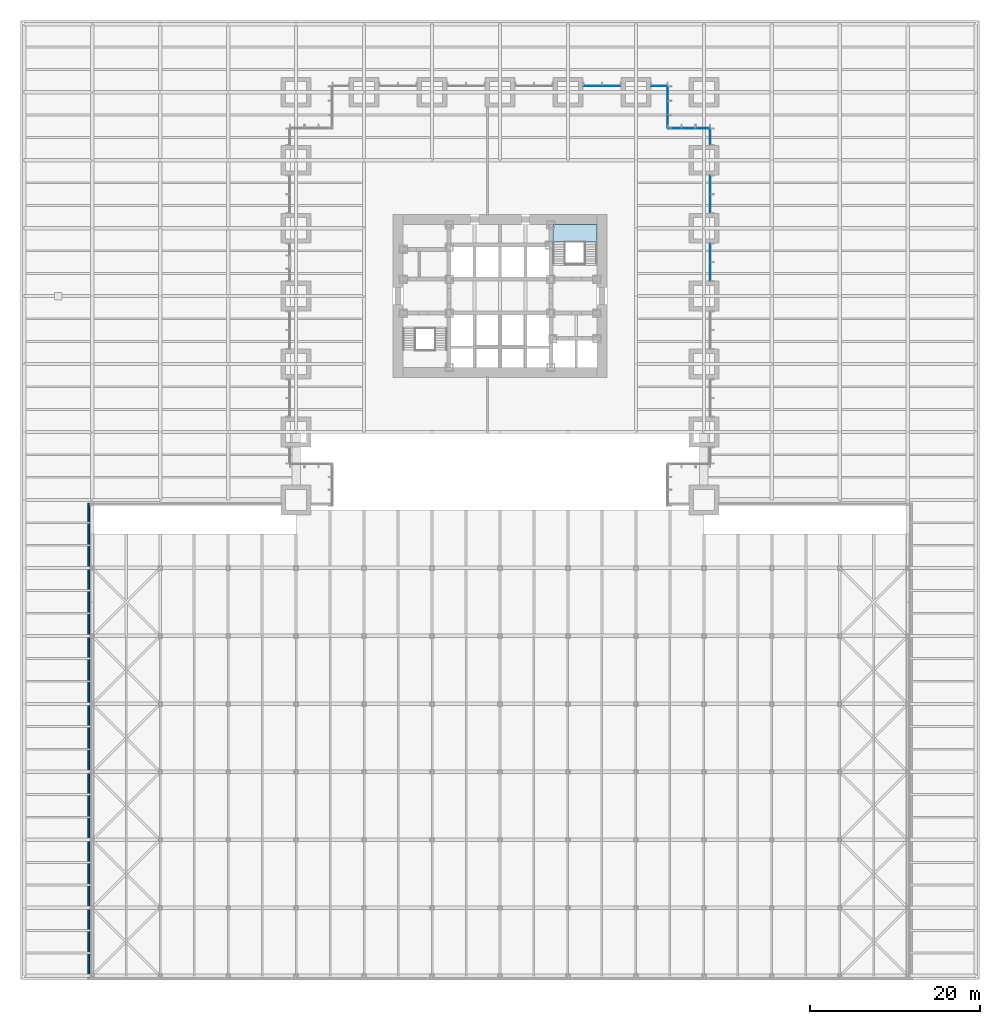
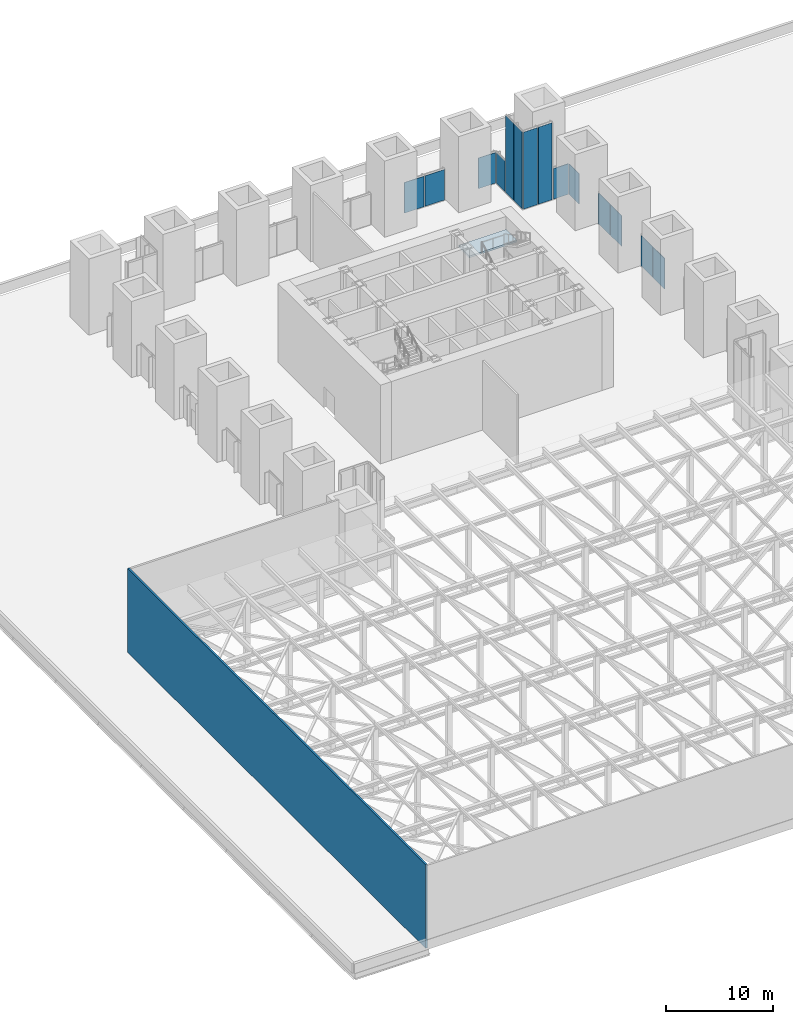
# One storey, part 15 of 20: 14 plates, 1 slab, 1 wall, 10 elements without a shape of their own.
"""IFC4 building model written with IfcOpenShell, lengths in metres."""

from ifc_helpers import new_model, si_unit, direction, frame, frame_2d, origin, origin_2d, place, context, subcontext, project, spatial, polyline, rectangle, outline, extrude, material, layer, layer_set, type_object, element, aggregate, save


model = new_model("IFC4")

# Units and contexts
model_context = context("Model", 3, precision=1e-05, world=origin(), true_north=direction((0.0, 1.0)))
body_context = subcontext(model_context, "Body", "Model", "MODEL_VIEW")
ifc_project = project(units=[si_unit("LENGTHUNIT", "METRE"), si_unit("AREAUNIT", "SQUARE_METRE"), si_unit("VOLUMEUNIT", "CUBIC_METRE"), si_unit("PLANEANGLEUNIT", "RADIAN"), si_unit("MASSUNIT", "GRAM", prefix="KILO")], contexts=[model_context])

# Site, building, storey
site_placement = place(None, origin())
site = spatial("IfcSite", under=ifc_project, at=site_placement, CompositionType="ELEMENT")
building_placement = place(site_placement, origin())
building = spatial("IfcBuilding", under=site, at=building_placement, Name="Daluyong Arena Tower", CompositionType="ELEMENT")
storey_placement = place(building_placement, frame((0.0, 0.0, 25.89990234375)))
storey = spatial("IfcBuildingStorey", under=building, at=storey_placement, Name="L05", CompositionType="ELEMENT", Elevation=25.89990234375)

# Curtain wall, plates
ifc_material_1 = material(Name="Bronze anodised aluminium and glass", Category="aluminium")
curtain_wall_type = type_object("IfcCurtainWallType", Name="Curtain wall CW6", PredefinedType="USERDEFINED", material=ifc_material_1)
curtain_wall_1_placement = place(storey_placement, origin())
curtain_wall_1 = element("IfcCurtainWall", 1, at=curtain_wall_1_placement, inside=storey, type_object=curtain_wall_type, Name="curtain wall L05 E bay 4", ObjectType="UNITISED CURTAIN WALL", PredefinedType="USERDEFINED")
ifc_material_2 = material(Name="Bronze aluminium louvre panel", Category="aluminium")
ifc_layer_1 = layer(ifc_material_2, 0.050048828125)
ifc_layer_set_1 = layer_set([ifc_layer_1], Name="Bronze aluminium louvre panel")
plate_type = type_object("IfcPlateType", Name="CW6 panel 50", PredefinedType="CURTAIN_PANEL", material=ifc_layer_set_1)
plate_1_placement = place(storey_placement, frame((80.75, 82.89501953125, 0.0), z_axis=(0.0, 0.0, 1.0), x_axis=(0.0, 1.0, 0.0)))
plate_1 = element("IfcPlate", 2, at=plate_1_placement, type_object=plate_type, Name="curtain wall L05 E bay 4 panel 1", PredefinedType="CURTAIN_PANEL", context=body_context, shape_type="SweptSolid", body=[
    extrude(rectangle(XDim=2.1298828125, YDim=0.050048828125, at=origin_2d()), origin(), (0.0, 0.0, 1.0), 3.5),
])
plate_2_placement = place(storey_placement, frame((80.75, 85.10498046875, 0.0), z_axis=(0.0, 0.0, 1.0), x_axis=(0.0, 1.0, 0.0)))
plate_2 = element("IfcPlate", 3, at=plate_2_placement, type_object=plate_type, Name="curtain wall L05 E bay 4 panel 2", PredefinedType="CURTAIN_PANEL", context=body_context, shape_type="SweptSolid", body=[
    extrude(rectangle(XDim=2.1298828125, YDim=0.050048828125, at=origin_2d()), origin(), (0.0, 0.0, 1.0), 3.5),
])
aggregate(curtain_wall_1, [plate_1, plate_2])

curtain_wall_2_placement = place(storey_placement, origin())
curtain_wall_2 = element("IfcCurtainWall", 4, at=curtain_wall_2_placement, inside=storey, type_object=curtain_wall_type, Name="curtain wall L05 E bay 5", ObjectType="UNITISED CURTAIN WALL", PredefinedType="USERDEFINED")
plate_3_placement = place(storey_placement, frame((80.75, 90.89501953125, 0.0), z_axis=(0.0, 0.0, 1.0), x_axis=(0.0, 1.0, 0.0)))
plate_3 = element("IfcPlate", 5, at=plate_3_placement, type_object=plate_type, Name="curtain wall L05 E bay 5 panel 1", PredefinedType="CURTAIN_PANEL", context=body_context, shape_type="SweptSolid", body=[
    extrude(rectangle(XDim=2.1298828125, YDim=0.050048828125, at=origin_2d()), origin(), (0.0, 0.0, 1.0), 3.5),
])
plate_4_placement = place(storey_placement, frame((80.75, 93.10498046875, 0.0), z_axis=(0.0, 0.0, 1.0), x_axis=(0.0, 1.0, 0.0)))
plate_4 = element("IfcPlate", 6, at=plate_4_placement, type_object=plate_type, Name="curtain wall L05 E bay 5 panel 2", PredefinedType="CURTAIN_PANEL", context=body_context, shape_type="SweptSolid", body=[
    extrude(rectangle(XDim=2.1298828125, YDim=0.050048828125, at=origin_2d()), origin(), (0.0, 0.0, 1.0), 3.5),
])
aggregate(curtain_wall_2, [plate_3, plate_4])

# Curtain wall, plate
curtain_wall_3_placement = place(storey_placement, origin())
curtain_wall_3 = element("IfcCurtainWall", 7, at=curtain_wall_3_placement, inside=storey, type_object=curtain_wall_type, Name="curtain wall L05 E bay 6", ObjectType="UNITISED CURTAIN WALL", PredefinedType="USERDEFINED")
plate_5_placement = place(storey_placement, frame((80.75, 98.75, 0.0), z_axis=(0.0, 0.0, 1.0), x_axis=(0.0, 1.0, 0.0)))
plate_5 = element("IfcPlate", 8, at=plate_5_placement, type_object=plate_type, Name="curtain wall L05 E bay 6 panel 1", PredefinedType="CURTAIN_PANEL", context=body_context, shape_type="SweptSolid", body=[
    extrude(rectangle(XDim=1.840087890625, YDim=0.050048828125, at=origin_2d()), origin(), (0.0, 0.0, 1.0), 3.5),
])
aggregate(curtain_wall_3, [plate_5])

curtain_wall_4_placement = place(storey_placement, origin())
curtain_wall_4 = element("IfcCurtainWall", 9, at=curtain_wall_4_placement, inside=storey, type_object=curtain_wall_type, Name="curtain wall L05 NE-N bay 1", ObjectType="UNITISED CURTAIN WALL", PredefinedType="USERDEFINED")
plate_6_placement = place(storey_placement, frame((79.875, 99.75, 0.0), z_axis=(0.0, 0.0, 1.0), x_axis=(-1.0, 0.0, 0.0)))
plate_6 = element("IfcPlate", 10, at=plate_6_placement, type_object=plate_type, Name="curtain wall L05 NE-N bay 1 panel 1", PredefinedType="CURTAIN_PANEL", context=body_context, shape_type="SweptSolid", body=[
    extrude(rectangle(XDim=1.590087890625, YDim=0.050048828125, at=origin_2d()), origin(), (0.0, 0.0, 1.0), 3.5),
])
aggregate(curtain_wall_4, [plate_6])

# Curtain wall, plates
curtain_wall_5_placement = place(storey_placement, origin())
curtain_wall_5 = element("IfcCurtainWall", 11, at=curtain_wall_5_placement, inside=storey, type_object=curtain_wall_type, Name="curtain wall L05 NE-N bay 2", ObjectType="UNITISED CURTAIN WALL", PredefinedType="USERDEFINED")
plate_7_placement = place(storey_placement, frame((78.16748046875, 99.75, 0.0), z_axis=(0.0, 0.0, 1.0), x_axis=(-1.0, 0.0, 0.0)))
plate_7 = element("IfcPlate", 12, at=plate_7_placement, type_object=plate_type, Name="curtain wall L05 NE-N bay 2 panel 1", PredefinedType="CURTAIN_PANEL", context=body_context, shape_type="SweptSolid", body=[
    extrude(rectangle(XDim=1.5048828125, YDim=0.050048828125, at=origin_2d()), origin(), (0.0, 0.0, 1.0), 8.800048828125),
])
plate_8_placement = place(storey_placement, frame((76.58251953125, 99.75, 0.0), z_axis=(0.0, 0.0, 1.0), x_axis=(-1.0, 0.0, 0.0)))
plate_8 = element("IfcPlate", 13, at=plate_8_placement, type_object=plate_type, Name="curtain wall L05 NE-N bay 2 panel 2", PredefinedType="CURTAIN_PANEL", context=body_context, shape_type="SweptSolid", body=[
    extrude(rectangle(XDim=1.5048828125, YDim=0.050048828125, at=origin_2d()), origin(), (0.0, 0.0, 1.0), 8.800048828125),
])
aggregate(curtain_wall_5, [plate_7, plate_8])

curtain_wall_6_placement = place(storey_placement, origin())
curtain_wall_6 = element("IfcCurtainWall", 14, at=curtain_wall_6_placement, inside=storey, type_object=curtain_wall_type, Name="curtain wall L05 NE-E bay 1", ObjectType="UNITISED CURTAIN WALL", PredefinedType="USERDEFINED")
plate_9_placement = place(storey_placement, frame((75.75, 100.58251953125, 0.0), z_axis=(0.0, 0.0, 1.0), x_axis=(0.0, 1.0, 0.0)))
plate_9 = element("IfcPlate", 15, at=plate_9_placement, type_object=plate_type, Name="curtain wall L05 NE-E bay 1 panel 1", PredefinedType="CURTAIN_PANEL", context=body_context, shape_type="SweptSolid", body=[
    extrude(rectangle(XDim=1.5048828125, YDim=0.050048828125, at=origin_2d()), origin(), (0.0, 0.0, 1.0), 8.800048828125),
])
plate_10_placement = place(storey_placement, frame((75.75, 102.16748046875, 0.0), z_axis=(0.0, 0.0, 1.0), x_axis=(0.0, 1.0, 0.0)))
plate_10 = element("IfcPlate", 16, at=plate_10_placement, type_object=plate_type, Name="curtain wall L05 NE-E bay 1 panel 2", PredefinedType="CURTAIN_PANEL", context=body_context, shape_type="SweptSolid", body=[
    extrude(rectangle(XDim=1.5048828125, YDim=0.050048828125, at=origin_2d()), origin(), (0.0, 0.0, 1.0), 8.800048828125),
])
aggregate(curtain_wall_6, [plate_9, plate_10])

# Curtain wall, plate
curtain_wall_7_placement = place(storey_placement, origin())
curtain_wall_7 = element("IfcCurtainWall", 17, at=curtain_wall_7_placement, inside=storey, type_object=curtain_wall_type, Name="curtain wall L05 NE-E bay 2", ObjectType="UNITISED CURTAIN WALL", PredefinedType="USERDEFINED")
plate_11_placement = place(storey_placement, frame((75.75, 103.875, 0.0), z_axis=(0.0, 0.0, 1.0), x_axis=(0.0, 1.0, 0.0)))
plate_11 = element("IfcPlate", 18, at=plate_11_placement, type_object=plate_type, Name="curtain wall L05 NE-E bay 2 panel 1", PredefinedType="CURTAIN_PANEL", context=body_context, shape_type="SweptSolid", body=[
    extrude(rectangle(XDim=1.590087890625, YDim=0.050048828125, at=origin_2d()), origin(), (0.0, 0.0, 1.0), 3.5),
])
aggregate(curtain_wall_7, [plate_11])

curtain_wall_8_placement = place(storey_placement, origin())
curtain_wall_8 = element("IfcCurtainWall", 19, at=curtain_wall_8_placement, inside=storey, type_object=curtain_wall_type, Name="curtain wall L05 N bay 1", ObjectType="UNITISED CURTAIN WALL", PredefinedType="USERDEFINED")
plate_12_placement = place(storey_placement, frame((74.75, 104.75, 0.0), z_axis=(0.0, 0.0, 1.0), x_axis=(-1.0, 0.0, 0.0)))
plate_12 = element("IfcPlate", 20, at=plate_12_placement, type_object=plate_type, Name="curtain wall L05 N bay 1 panel 1", PredefinedType="CURTAIN_PANEL", context=body_context, shape_type="SweptSolid", body=[
    extrude(rectangle(XDim=1.840087890625, YDim=0.050048828125, at=origin_2d()), origin(), (0.0, 0.0, 1.0), 3.5),
])
aggregate(curtain_wall_8, [plate_12])

# Curtain wall, plates
curtain_wall_9_placement = place(storey_placement, origin())
curtain_wall_9 = element("IfcCurtainWall", 21, at=curtain_wall_9_placement, inside=storey, type_object=curtain_wall_type, Name="curtain wall L05 N bay 2", ObjectType="UNITISED CURTAIN WALL", PredefinedType="USERDEFINED")
plate_13_placement = place(storey_placement, frame((69.10498046875, 104.75, 0.0), z_axis=(0.0, 0.0, 1.0), x_axis=(-1.0, 0.0, 0.0)))
plate_13 = element("IfcPlate", 22, at=plate_13_placement, type_object=plate_type, Name="curtain wall L05 N bay 2 panel 1", PredefinedType="CURTAIN_PANEL", context=body_context, shape_type="SweptSolid", body=[
    extrude(rectangle(XDim=2.1298828125, YDim=0.050048828125, at=origin_2d()), origin(), (0.0, 0.0, 1.0), 3.5),
])
plate_14_placement = place(storey_placement, frame((66.89501953125, 104.75, 0.0), z_axis=(0.0, 0.0, 1.0), x_axis=(-1.0, 0.0, 0.0)))
plate_14 = element("IfcPlate", 23, at=plate_14_placement, type_object=plate_type, Name="curtain wall L05 N bay 2 panel 2", PredefinedType="CURTAIN_PANEL", context=body_context, shape_type="SweptSolid", body=[
    extrude(rectangle(XDim=2.1298828125, YDim=0.050048828125, at=origin_2d()), origin(), (0.0, 0.0, 1.0), 3.5),
])
aggregate(curtain_wall_9, [plate_13, plate_14])

# Stair, slab
ifc_material_3 = material(Name="Concrete fc' 35 MPa", Category="concrete")
stair_type = type_object("IfcStairType", Name="Core exit stair", PredefinedType="HALF_TURN_STAIR", material=ifc_material_3)
stair_placement = place(storey_placement, origin())
stair = element("IfcStair", 24, at=stair_placement, inside=storey, type_object=stair_type, Name="exit stair B L05", PredefinedType="HALF_TURN_STAIR")
ifc_material_4 = material(Name="Concrete fc' 35 MPa", Category="concrete")
ifc_layer_2 = layer(ifc_material_4, 0.199951171875)
ifc_layer_set_2 = layer_set([ifc_layer_2], Name="Concrete fc' 35 MPa")
slab_type = type_object("IfcSlabType", Name="Stair landing 200", PredefinedType="LANDING", material=ifc_layer_set_2)
slab_placement = place(storey_placement, frame((0.0, 0.0, 7.300048828125)))
slab = element("IfcSlab", 25, at=slab_placement, type_object=slab_type, Name="STB landing 5", PredefinedType="LANDING", context=body_context, shape_type="SweptSolid", body=[
    extrude(outline(polyline([(62.22509765625, 86.344970703125), (67.39990234375, 86.344970703125), (67.39990234375, 88.39990234375), (62.22509765625, 88.39990234375), (62.22509765625, 86.344970703125)])), origin(), (0.0, 0.0, 1.0), 0.199951171875),
])
aggregate(stair, [slab])

# Wall
ifc_material_5 = material(Name="Insulated bronze aluminium composite panel", Category="aluminium")
ifc_layer_3 = layer(ifc_material_5, 0.199951171875)
ifc_layer_set_3 = layer_set([ifc_layer_3], Name="Insulated bronze aluminium composite panel")
wall_type = type_object("IfcWallType", Name="Arena clerestory cladding wall 200", PredefinedType="SOLIDWALL", material=ifc_layer_set_3)
wall_placement = place(storey_placement, frame((7.60009765625, -0.25, 0.0), z_axis=(0.0, 0.0, 1.0), x_axis=(0.0, 1.0, 0.0)))
element("IfcWall", 26, at=wall_placement, inside=storey, type_object=wall_type, Name="arena clerestory cladding W", PredefinedType="SOLIDWALL", context=body_context, shape_type="SweptSolid", body=[
    extrude(rectangle(XDim=55.85009765625, YDim=0.199951171875, at=frame_2d((27.925048828125, 0.0))), origin(), (0.0, 0.0, 1.0), 9.5908203125),
])

save(model, "model.ifc")
